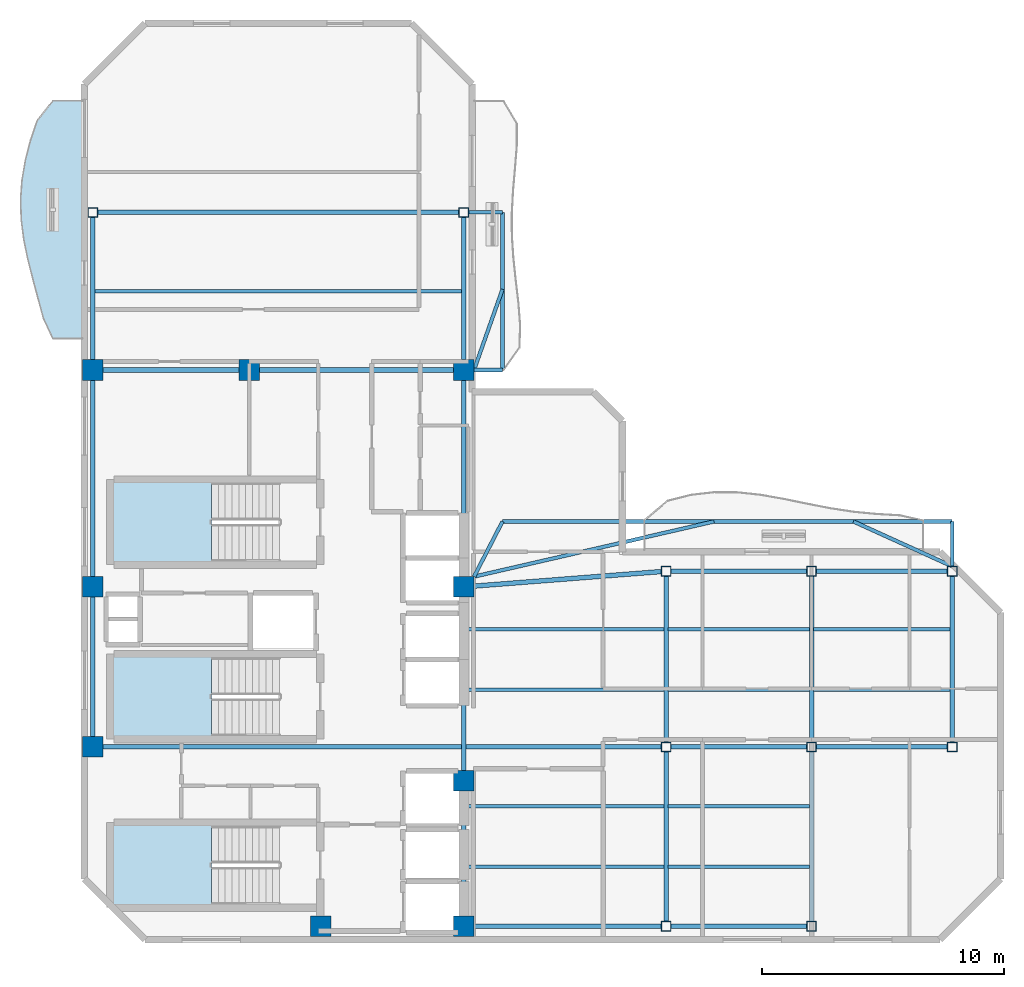
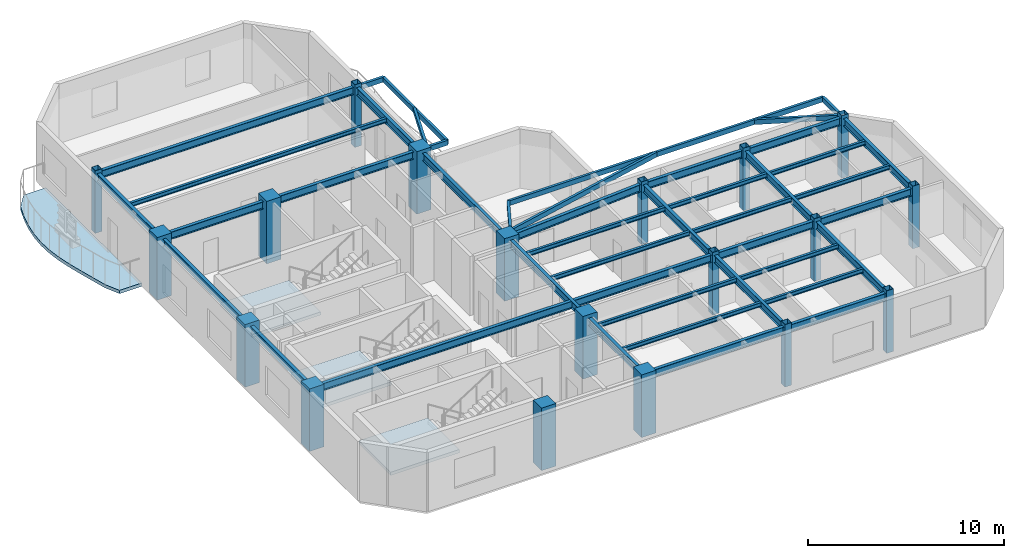
# One storey, part 1 of 7: 43 beams, 19 columns, 4 slabs, 3 elements without a shape of their own.
"""IFC4 building model written with IfcOpenShell, lengths in metres."""

from ifc_helpers import new_model, si_unit, direction, frame, origin, origin_2d, place, context, subcontext, project, spatial, polyline, rectangle, hollow_rectangle, i_section, outline, extrude, material, layer, layer_set, material_profile, profile_set, type_object, element, aggregate, save


model = new_model("IFC4")

# Units and contexts
model_context = context("Model", 3, precision=1e-05, world=origin(), true_north=direction((0.0, 1.0)))
body_context = subcontext(model_context, "Body", "Model", "MODEL_VIEW")
ifc_project = project(units=[si_unit("LENGTHUNIT", "METRE"), si_unit("AREAUNIT", "SQUARE_METRE"), si_unit("VOLUMEUNIT", "CUBIC_METRE"), si_unit("PLANEANGLEUNIT", "RADIAN"), si_unit("MASSUNIT", "GRAM", prefix="KILO")], contexts=[model_context])

# Site, building, storey
site_placement = place(None, origin())
site = spatial("IfcSite", under=ifc_project, at=site_placement, CompositionType="ELEMENT")
building_placement = place(site_placement, origin())
building = spatial("IfcBuilding", under=site, at=building_placement, Name="Mawjaban Terraces University", CompositionType="ELEMENT")
storey_placement = place(building_placement, frame((0.0, 0.0, 275.5)))
storey = spatial("IfcBuildingStorey", under=building, at=storey_placement, Name="L67", CompositionType="ELEMENT", Elevation=275.5)

# Columns
ifc_material_1 = material(Name="Concrete C50/60", Category="concrete")
ifc_material_profile_1 = material_profile(ifc_material_1, rectangle(XDim=0.85009765625, YDim=0.85009765625, at=origin_2d()), Name="RC850X850")
ifc_profile_set_1 = profile_set([ifc_material_profile_1], Name="Concrete C50/60")
column_type_1 = type_object("IfcColumnType", Name="Col_RC850X850", PredefinedType="COLUMN", material=ifc_profile_set_1)
for number, where, z_axis, x_axis, name in (
    (1, (31.75, 0.550048828125, 0.0), (0.0, 0.0, 1.0), (1.0, 0.0, 0.0), "L67 Column CC2"),
    (2, (37.64990234375, 0.550048828125, 0.0), (0.0, 0.0, 1.0), (1.0, 0.0, 0.0), "L67 Column CC3"),
    (3, (22.35009765625, 7.949951171875, 0.0), (0.0, 0.0, 1.0), (1.0, 0.0, 0.0), "L67 Column CC4"),
    (4, (37.64990234375, 6.550048828125, 0.0), (0.0, 0.0, 1.0), (1.0, 0.0, 0.0), "L67 Column CC5"),
    (5, (22.35009765625, 14.550048828125, 0.0), (0.0, 0.0, 1.0), (1.0, 0.0, 0.0), "L67 Column CC6"),
    (6, (37.64990234375, 14.550048828125, 0.0), (0.0, 0.0, 1.0), (1.0, 0.0, 0.0), "L67 Column CC7"),
    (7, (22.35009765625, 23.5, 0.0), (0.0, 0.0, 1.0), (1.0, 0.0, 0.0), "L67 Column CC8"),
    (8, (28.800048828125, 23.5, 0.0), (0.0, 0.0, 1.0), (1.0, 0.0, 0.0), "L67 Column CC9"),
    (9, (37.64990234375, 23.5, 0.0), (0.0, 0.0, 1.0), (1.0, 0.0, 0.0), "L67 Column CC10"),
):
    element("IfcColumn", number, at=place(storey_placement, frame(where, z_axis=z_axis, x_axis=x_axis)), inside=storey, type_object=column_type_1, Name=name, PredefinedType="COLUMN", context=body_context, shape_type="SweptSolid", body=[
        extrude(rectangle(XDim=0.85009765625, YDim=0.85009765625, at=origin_2d()), origin(), (0.0, 0.0, 1.0), 3.89990234375),
    ])
ifc_material_2 = material(Name="Steel EN 10210-1 S355J2H", Category="steel")
ifc_material_profile_2 = material_profile(ifc_material_2, hollow_rectangle(XDim=0.39990234375, YDim=0.39990234375, WallThickness=0.02001953125, at=origin_2d()), Name="SHS400X400X20")
ifc_profile_set_2 = profile_set([ifc_material_profile_2], Name="Steel EN 10210-1 S355J2H")
column_type_2 = type_object("IfcColumnType", Name="Col_SHS400X400X20", PredefinedType="COLUMN", material=ifc_profile_set_2)
for number, where, z_axis, x_axis, name in (
    (10, (46.0, 0.550048828125, 0.0), (0.0, 0.0, 1.0), (1.0, 0.0, 0.0), "L67 Column TE-460-005"),
    (11, (46.0, 7.949951171875, 0.0), (0.0, 0.0, 1.0), (1.0, 0.0, 0.0), "L67 Column TE-460-080"),
    (12, (46.0, 15.199951171875, 0.0), (0.0, 0.0, 1.0), (1.0, 0.0, 0.0), "L67 Column TE-460-152"),
    (13, (52.0, 0.550048828125, 0.0), (0.0, 0.0, 1.0), (1.0, 0.0, 0.0), "L67 Column TE-520-005"),
    (14, (52.0, 7.949951171875, 0.0), (0.0, 0.0, 1.0), (1.0, 0.0, 0.0), "L67 Column TE-520-080"),
    (15, (52.0, 15.199951171875, 0.0), (0.0, 0.0, 1.0), (1.0, 0.0, 0.0), "L67 Column TE-520-152"),
    (16, (57.800048828125, 7.949951171875, 0.0), (0.0, 0.0, 1.0), (1.0, 0.0, 0.0), "L67 Column TE-578-080"),
    (17, (57.800048828125, 15.199951171875, 0.0), (0.0, 0.0, 1.0), (1.0, 0.0, 0.0), "L67 Column TE-578-152"),
    (18, (22.35009765625, 30.0, 0.0), (0.0, 0.0, 1.0), (1.0, 0.0, 0.0), "L67 Column TN-223-300"),
    (19, (37.64990234375, 30.0, 0.0), (0.0, 0.0, 1.0), (1.0, 0.0, 0.0), "L67 Column TN-376-300"),
):
    element("IfcColumn", number, at=place(storey_placement, frame(where, z_axis=z_axis, x_axis=x_axis)), inside=storey, type_object=column_type_2, Name=name, PredefinedType="COLUMN", context=body_context, shape_type="SweptSolid", body=[
        extrude(hollow_rectangle(XDim=0.39990234375, YDim=0.39990234375, WallThickness=0.02001953125, at=origin_2d()), origin(), (0.0, 0.0, 1.0), 3.89990234375),
    ])

# Beams
ifc_material_profile_3 = material_profile(ifc_material_2, hollow_rectangle(XDim=0.14990234375, YDim=0.300048828125, WallThickness=0.012451171875, at=origin_2d()), Name="RHS300X150X12.5")
ifc_profile_set_3 = profile_set([ifc_material_profile_3], Name="Steel EN 10210-1 S355J2H")
beam_type_1 = type_object("IfcBeamType", Name="BalconyCantileverSpandrel_RHS", PredefinedType="SPANDREL", material=ifc_profile_set_3)
beam_1_placement = place(storey_placement, frame((38.074951171875, 14.97509765625, 3.5400390625), z_axis=(0.458922210771, 0.88847645127, 0.0), x_axis=(-0.88847645127, 0.458922210771, 0.0)))
element("IfcBeam", 20, at=beam_1_placement, inside=storey, type_object=beam_type_1, Name="L67 Corner Outrigger BAL-L68-N", PredefinedType="SPANDREL", context=body_context, shape_type="SweptSolid", body=[
    extrude(hollow_rectangle(XDim=0.14990234375, YDim=0.300048828125, WallThickness=0.012451171875, at=origin_2d()), origin(), (0.0, 0.0, 1.0), 2.560546875),
])
beam_2_placement = place(storey_placement, frame((57.800048828125, 15.39990234375, 3.5400390625), z_axis=(0.0, 1.0, 0.0), x_axis=(-1.0, 0.0, 0.0)))
element("IfcBeam", 21, at=beam_2_placement, inside=storey, type_object=beam_type_1, Name="L67 Exterior Outrigger BAL-L68-N.2", PredefinedType="SPANDREL", context=body_context, shape_type="SweptSolid", body=[
    extrude(hollow_rectangle(XDim=0.14990234375, YDim=0.300048828125, WallThickness=0.012451171875, at=origin_2d()), origin(), (0.0, 0.0, 1.0), 1.85009765625),
])
beam_3_placement = place(storey_placement, frame((39.25, 17.25, 3.5400390625), z_axis=(1.0, 0.0, 0.0), x_axis=(0.0, 1.0, 0.0)))
element("IfcBeam", 22, at=beam_3_placement, inside=storey, type_object=beam_type_1, Name="L67 Exterior Edge Spandrel BAL-L68-N", PredefinedType="SPANDREL", context=body_context, shape_type="SweptSolid", body=[
    extrude(hollow_rectangle(XDim=0.14990234375, YDim=0.300048828125, WallThickness=0.012451171875, at=origin_2d()), origin(), (0.0, 0.0, 1.0), 18.550048828125),
])
beam_4_placement = place(storey_placement, frame((38.074951171875, 14.97509765625, 3.5400390625), z_axis=(0.974600999447, 0.223948413426, 0.0), x_axis=(-0.223948413426, 0.974600999447, 0.0)))
element("IfcBeam", 23, at=beam_4_placement, inside=storey, type_object=beam_type_1, Name="L67 Exterior Diagonal Strut BAL-L68-N.1", PredefinedType="SPANDREL", context=body_context, shape_type="SweptSolid", body=[
    extrude(hollow_rectangle(XDim=0.14990234375, YDim=0.300048828125, WallThickness=0.012451171875, at=origin_2d()), origin(), (0.0, 0.0, 1.0), 10.158203125),
])
beam_5_placement = place(storey_placement, frame((57.800048828125, 15.39990234375, 3.5400390625), z_axis=(-0.910547611438, 0.413404217811, 0.0), x_axis=(-0.413404217811, -0.910547611438, 0.0)))
element("IfcBeam", 24, at=beam_5_placement, inside=storey, type_object=beam_type_1, Name="L67 Exterior Diagonal Strut BAL-L68-N.2", PredefinedType="SPANDREL", context=body_context, shape_type="SweptSolid", body=[
    extrude(hollow_rectangle(XDim=0.14990234375, YDim=0.300048828125, WallThickness=0.012451171875, at=origin_2d()), origin(), (0.0, 0.0, 1.0), 4.475341796875),
])
beam_6_placement = place(storey_placement, frame((38.074951171875, 23.5, 3.5400390625), z_axis=(1.0, 0.0, 0.0), x_axis=(0.0, 1.0, 0.0)))
element("IfcBeam", 25, at=beam_6_placement, inside=storey, type_object=beam_type_1, Name="L67 Exterior Outrigger BAL-L68-E.1", PredefinedType="SPANDREL", context=body_context, shape_type="SweptSolid", body=[
    extrude(hollow_rectangle(XDim=0.14990234375, YDim=0.300048828125, WallThickness=0.012451171875, at=origin_2d()), origin(), (0.0, 0.0, 1.0), 1.175048828125),
])
beam_7_placement = place(storey_placement, frame((37.85009765625, 30.0, 3.5400390625), z_axis=(1.0, 0.0, 0.0), x_axis=(0.0, 1.0, 0.0)))
element("IfcBeam", 26, at=beam_7_placement, inside=storey, type_object=beam_type_1, Name="L67 Exterior Outrigger BAL-L68-E.2", PredefinedType="SPANDREL", context=body_context, shape_type="SweptSolid", body=[
    extrude(hollow_rectangle(XDim=0.14990234375, YDim=0.300048828125, WallThickness=0.012451171875, at=origin_2d()), origin(), (0.0, 0.0, 1.0), 1.39990234375),
])
beam_8_placement = place(storey_placement, frame((39.25, 23.5, 3.5400390625), z_axis=(0.0, 1.0, 0.0), x_axis=(-1.0, 0.0, 0.0)))
element("IfcBeam", 27, at=beam_8_placement, inside=storey, type_object=beam_type_1, Name="L67 Exterior Edge Spandrel BAL-L68-E", PredefinedType="SPANDREL", context=body_context, shape_type="SweptSolid", body=[
    extrude(hollow_rectangle(XDim=0.14990234375, YDim=0.300048828125, WallThickness=0.012451171875, at=origin_2d()), origin(), (0.0, 0.0, 1.0), 6.5),
])
beam_9_placement = place(storey_placement, frame((38.074951171875, 23.5, 3.5400390625), z_axis=(0.332751406337, 0.943014581849, 0.0), x_axis=(-0.943014581849, 0.332751406337, 0.0)))
element("IfcBeam", 28, at=beam_9_placement, inside=storey, type_object=beam_type_1, Name="L67 Exterior Diagonal Strut BAL-L68-E.1", PredefinedType="SPANDREL", context=body_context, shape_type="SweptSolid", body=[
    extrude(hollow_rectangle(XDim=0.14990234375, YDim=0.300048828125, WallThickness=0.012451171875, at=origin_2d()), origin(), (0.0, 0.0, 1.0), 3.53125),
])
ifc_material_3 = material(Name="Steel ASTM A572 Grade 50", Category="steel")
ifc_material_profile_4 = material_profile(ifc_material_3, i_section(OverallWidth=0.19189453125, OverallDepth=0.462890625, WebThickness=0.010498046875, FlangeThickness=0.017578125, at=origin_2d()), Name="W460X89")
ifc_profile_set_4 = profile_set([ifc_material_profile_4], Name="Steel ASTM A572 Grade 50")
beam_type_2 = type_object("IfcBeamType", Name="Beam_B_W460X89", PredefinedType="BEAM", material=ifc_profile_set_4)
beam_10_placement = place(storey_placement, frame((38.074951171875, 0.550048828125, 3.458984375), z_axis=(1.0, 0.0, 0.0), x_axis=(0.0, 1.0, 0.0)))
element("IfcBeam", 29, at=beam_10_placement, inside=storey, type_object=beam_type_2, Name="L67 Beam BM-L67-EW-01", PredefinedType="BEAM", context=body_context, shape_type="SweptSolid", body=[
    extrude(i_section(OverallWidth=0.19189453125, OverallDepth=0.462890625, WebThickness=0.010498046875, FlangeThickness=0.017578125, at=origin_2d()), origin(), (0.0, 0.0, 1.0), 7.72509765625),
])
beam_11_placement = place(storey_placement, frame((46.199951171875, 0.550048828125, 3.458984375), z_axis=(1.0, 0.0, 0.0), x_axis=(0.0, 1.0, 0.0)))
element("IfcBeam", 30, at=beam_11_placement, inside=storey, type_object=beam_type_2, Name="L67 Beam BM-L67-EW-02", PredefinedType="BEAM", context=body_context, shape_type="SweptSolid", body=[
    extrude(i_section(OverallWidth=0.19189453125, OverallDepth=0.462890625, WebThickness=0.010498046875, FlangeThickness=0.017578125, at=origin_2d()), origin(), (0.0, 0.0, 1.0), 5.60009765625),
])
beam_12_placement = place(storey_placement, frame((22.77490234375, 7.949951171875, 3.458984375), z_axis=(1.0, 0.0, 0.0), x_axis=(0.0, 1.0, 0.0)))
element("IfcBeam", 31, at=beam_12_placement, inside=storey, type_object=beam_type_2, Name="L67 Beam BM-L67-EW-03", PredefinedType="BEAM", context=body_context, shape_type="SweptSolid", body=[
    extrude(i_section(OverallWidth=0.19189453125, OverallDepth=0.462890625, WebThickness=0.010498046875, FlangeThickness=0.017578125, at=origin_2d()), origin(), (0.0, 0.0, 1.0), 23.025146484375),
])
beam_13_placement = place(storey_placement, frame((46.199951171875, 7.949951171875, 3.458984375), z_axis=(1.0, 0.0, 0.0), x_axis=(0.0, 1.0, 0.0)))
element("IfcBeam", 32, at=beam_13_placement, inside=storey, type_object=beam_type_2, Name="L67 Beam BM-L67-EW-04", PredefinedType="BEAM", context=body_context, shape_type="SweptSolid", body=[
    extrude(i_section(OverallWidth=0.19189453125, OverallDepth=0.462890625, WebThickness=0.010498046875, FlangeThickness=0.017578125, at=origin_2d()), origin(), (0.0, 0.0, 1.0), 5.60009765625),
])
beam_14_placement = place(storey_placement, frame((52.199951171875, 7.949951171875, 3.458984375), z_axis=(1.0, 0.0, 0.0), x_axis=(0.0, 1.0, 0.0)))
element("IfcBeam", 33, at=beam_14_placement, inside=storey, type_object=beam_type_2, Name="L67 Beam BM-L67-EW-05", PredefinedType="BEAM", context=body_context, shape_type="SweptSolid", body=[
    extrude(i_section(OverallWidth=0.19189453125, OverallDepth=0.462890625, WebThickness=0.010498046875, FlangeThickness=0.017578125, at=origin_2d()), origin(), (0.0, 0.0, 1.0), 5.400146484375),
])
beam_15_placement = place(storey_placement, frame((46.199951171875, 15.199951171875, 3.458984375), z_axis=(1.0, 0.0, 0.0), x_axis=(0.0, 1.0, 0.0)))
element("IfcBeam", 34, at=beam_15_placement, inside=storey, type_object=beam_type_2, Name="L67 Beam BM-L67-EW-06", PredefinedType="BEAM", context=body_context, shape_type="SweptSolid", body=[
    extrude(i_section(OverallWidth=0.19189453125, OverallDepth=0.462890625, WebThickness=0.010498046875, FlangeThickness=0.017578125, at=origin_2d()), origin(), (0.0, 0.0, 1.0), 5.60009765625),
])
beam_16_placement = place(storey_placement, frame((52.199951171875, 15.199951171875, 3.458984375), z_axis=(1.0, 0.0, 0.0), x_axis=(0.0, 1.0, 0.0)))
element("IfcBeam", 35, at=beam_16_placement, inside=storey, type_object=beam_type_2, Name="L67 Beam BM-L67-EW-07", PredefinedType="BEAM", context=body_context, shape_type="SweptSolid", body=[
    extrude(i_section(OverallWidth=0.19189453125, OverallDepth=0.462890625, WebThickness=0.010498046875, FlangeThickness=0.017578125, at=origin_2d()), origin(), (0.0, 0.0, 1.0), 5.400146484375),
])
beam_17_placement = place(storey_placement, frame((22.77490234375, 23.5, 3.458984375), z_axis=(1.0, 0.0, 0.0), x_axis=(0.0, 1.0, 0.0)))
element("IfcBeam", 36, at=beam_17_placement, inside=storey, type_object=beam_type_2, Name="L67 Beam BM-L67-EW-08", PredefinedType="BEAM", context=body_context, shape_type="SweptSolid", body=[
    extrude(i_section(OverallWidth=0.19189453125, OverallDepth=0.462890625, WebThickness=0.010498046875, FlangeThickness=0.017578125, at=origin_2d()), origin(), (0.0, 0.0, 1.0), 5.60009765625),
])
beam_18_placement = place(storey_placement, frame((29.22509765625, 23.5, 3.458984375), z_axis=(1.0, 0.0, 0.0), x_axis=(0.0, 1.0, 0.0)))
element("IfcBeam", 37, at=beam_18_placement, inside=storey, type_object=beam_type_2, Name="L67 Beam BM-L67-EW-09", PredefinedType="BEAM", context=body_context, shape_type="SweptSolid", body=[
    extrude(i_section(OverallWidth=0.19189453125, OverallDepth=0.462890625, WebThickness=0.010498046875, FlangeThickness=0.017578125, at=origin_2d()), origin(), (0.0, 0.0, 1.0), 8.0),
])
beam_19_placement = place(storey_placement, frame((22.550048828125, 30.0, 3.458984375), z_axis=(1.0, 0.0, 0.0), x_axis=(0.0, 1.0, 0.0)))
element("IfcBeam", 38, at=beam_19_placement, inside=storey, type_object=beam_type_2, Name="L67 Beam BM-L67-EW-10", PredefinedType="BEAM", context=body_context, shape_type="SweptSolid", body=[
    extrude(i_section(OverallWidth=0.19189453125, OverallDepth=0.462890625, WebThickness=0.010498046875, FlangeThickness=0.017578125, at=origin_2d()), origin(), (0.0, 0.0, 1.0), 14.89990234375),
])
beam_20_placement = place(storey_placement, frame((22.35009765625, 8.375, 3.458984375), z_axis=(0.0, 1.0, 0.0), x_axis=(-1.0, 0.0, 0.0)))
element("IfcBeam", 39, at=beam_20_placement, inside=storey, type_object=beam_type_2, Name="L67 Beam BM-L67-NS-01", PredefinedType="BEAM", context=body_context, shape_type="SweptSolid", body=[
    extrude(i_section(OverallWidth=0.19189453125, OverallDepth=0.462890625, WebThickness=0.010498046875, FlangeThickness=0.017578125, at=origin_2d()), origin(), (0.0, 0.0, 1.0), 5.75),
])
beam_21_placement = place(storey_placement, frame((22.35009765625, 14.97509765625, 3.458984375), z_axis=(0.0, 1.0, 0.0), x_axis=(-1.0, 0.0, 0.0)))
element("IfcBeam", 40, at=beam_21_placement, inside=storey, type_object=beam_type_2, Name="L67 Beam BM-L67-NS-02", PredefinedType="BEAM", context=body_context, shape_type="SweptSolid", body=[
    extrude(i_section(OverallWidth=0.19189453125, OverallDepth=0.462890625, WebThickness=0.010498046875, FlangeThickness=0.017578125, at=origin_2d()), origin(), (0.0, 0.0, 1.0), 8.099853515625),
])
beam_22_placement = place(storey_placement, frame((22.35009765625, 23.925048828125, 3.458984375), z_axis=(0.0, 1.0, 0.0), x_axis=(-1.0, 0.0, 0.0)))
element("IfcBeam", 41, at=beam_22_placement, inside=storey, type_object=beam_type_2, Name="L67 Beam BM-L67-NS-03", PredefinedType="BEAM", context=body_context, shape_type="SweptSolid", body=[
    extrude(i_section(OverallWidth=0.19189453125, OverallDepth=0.462890625, WebThickness=0.010498046875, FlangeThickness=0.017578125, at=origin_2d()), origin(), (0.0, 0.0, 1.0), 5.875),
])
beam_23_placement = place(storey_placement, frame((37.64990234375, 0.97509765625, 3.458984375), z_axis=(0.0, 1.0, 0.0), x_axis=(-1.0, 0.0, 0.0)))
element("IfcBeam", 42, at=beam_23_placement, inside=storey, type_object=beam_type_2, Name="L67 Beam BM-L67-NS-04", PredefinedType="BEAM", context=body_context, shape_type="SweptSolid", body=[
    extrude(i_section(OverallWidth=0.19189453125, OverallDepth=0.462890625, WebThickness=0.010498046875, FlangeThickness=0.017578125, at=origin_2d()), origin(), (0.0, 0.0, 1.0), 5.14990234375),
])
beam_24_placement = place(storey_placement, frame((37.64990234375, 6.97509765625, 3.458984375), z_axis=(0.0, 1.0, 0.0), x_axis=(-1.0, 0.0, 0.0)))
element("IfcBeam", 43, at=beam_24_placement, inside=storey, type_object=beam_type_2, Name="L67 Beam BM-L67-NS-05", PredefinedType="BEAM", context=body_context, shape_type="SweptSolid", body=[
    extrude(i_section(OverallWidth=0.19189453125, OverallDepth=0.462890625, WebThickness=0.010498046875, FlangeThickness=0.017578125, at=origin_2d()), origin(), (0.0, 0.0, 1.0), 7.14990234375),
])
beam_25_placement = place(storey_placement, frame((37.64990234375, 14.97509765625, 3.458984375), z_axis=(0.0, 1.0, 0.0), x_axis=(-1.0, 0.0, 0.0)))
element("IfcBeam", 44, at=beam_25_placement, inside=storey, type_object=beam_type_2, Name="L67 Beam BM-L67-NS-06", PredefinedType="BEAM", context=body_context, shape_type="SweptSolid", body=[
    extrude(i_section(OverallWidth=0.19189453125, OverallDepth=0.462890625, WebThickness=0.010498046875, FlangeThickness=0.017578125, at=origin_2d()), origin(), (0.0, 0.0, 1.0), 8.099853515625),
])
beam_26_placement = place(storey_placement, frame((37.64990234375, 23.925048828125, 3.458984375), z_axis=(0.0, 1.0, 0.0), x_axis=(-1.0, 0.0, 0.0)))
element("IfcBeam", 45, at=beam_26_placement, inside=storey, type_object=beam_type_2, Name="L67 Beam BM-L67-NS-07", PredefinedType="BEAM", context=body_context, shape_type="SweptSolid", body=[
    extrude(i_section(OverallWidth=0.19189453125, OverallDepth=0.462890625, WebThickness=0.010498046875, FlangeThickness=0.017578125, at=origin_2d()), origin(), (0.0, 0.0, 1.0), 5.875),
])
beam_27_placement = place(storey_placement, frame((46.0, 0.75, 3.458984375), z_axis=(0.0, 1.0, 0.0), x_axis=(-1.0, 0.0, 0.0)))
element("IfcBeam", 46, at=beam_27_placement, inside=storey, type_object=beam_type_2, Name="L67 Beam BM-L67-NS-08", PredefinedType="BEAM", context=body_context, shape_type="SweptSolid", body=[
    extrude(i_section(OverallWidth=0.19189453125, OverallDepth=0.462890625, WebThickness=0.010498046875, FlangeThickness=0.017578125, at=origin_2d()), origin(), (0.0, 0.0, 1.0), 7.0),
])
beam_28_placement = place(storey_placement, frame((46.0, 8.14990234375, 3.458984375), z_axis=(0.0, 1.0, 0.0), x_axis=(-1.0, 0.0, 0.0)))
element("IfcBeam", 47, at=beam_28_placement, inside=storey, type_object=beam_type_2, Name="L67 Beam BM-L67-NS-09", PredefinedType="BEAM", context=body_context, shape_type="SweptSolid", body=[
    extrude(i_section(OverallWidth=0.19189453125, OverallDepth=0.462890625, WebThickness=0.010498046875, FlangeThickness=0.017578125, at=origin_2d()), origin(), (0.0, 0.0, 1.0), 6.85009765625),
])
beam_29_placement = place(storey_placement, frame((52.0, 0.75, 3.458984375), z_axis=(0.0, 1.0, 0.0), x_axis=(-1.0, 0.0, 0.0)))
element("IfcBeam", 48, at=beam_29_placement, inside=storey, type_object=beam_type_2, Name="L67 Beam BM-L67-NS-10", PredefinedType="BEAM", context=body_context, shape_type="SweptSolid", body=[
    extrude(i_section(OverallWidth=0.19189453125, OverallDepth=0.462890625, WebThickness=0.010498046875, FlangeThickness=0.017578125, at=origin_2d()), origin(), (0.0, 0.0, 1.0), 7.0),
])
for number, where, z_axis, x_axis, name in (
    (49, (52.0, 8.14990234375, 3.458984375), (0.0, 1.0, 0.0), (-1.0, 0.0, 0.0), "L67 Beam BM-L67-NS-11"),
    (50, (57.800048828125, 8.14990234375, 3.458984375), (0.0, 1.0, 0.0), (-1.0, 0.0, 0.0), "L67 Beam BM-L67-NS-12"),
):
    element("IfcBeam", number, at=place(storey_placement, frame(where, z_axis=z_axis, x_axis=x_axis)), inside=storey, type_object=beam_type_2, Name=name, PredefinedType="BEAM", context=body_context, shape_type="SweptSolid", body=[
        extrude(i_section(OverallWidth=0.19189453125, OverallDepth=0.462890625, WebThickness=0.010498046875, FlangeThickness=0.017578125, at=origin_2d()), origin(), (0.0, 0.0, 1.0), 6.85009765625),
    ])
beam_30_placement = place(storey_placement, frame((38.073974609375, 14.5830078125, 3.458984375), z_axis=(0.996988151141, 0.077554023005, 0.0), x_axis=(-0.077554023005, 0.996988151141, 0.0)))
element("IfcBeam", 51, at=beam_30_placement, inside=storey, type_object=beam_type_2, Name="L67 Beam BM-L67-CTIE", PredefinedType="BEAM", context=body_context, shape_type="SweptSolid", body=[
    extrude(i_section(OverallWidth=0.19189453125, OverallDepth=0.462890625, WebThickness=0.010498046875, FlangeThickness=0.017578125, at=origin_2d()), origin(), (0.0, 0.0, 1.0), 7.75048828125),
])
ifc_material_profile_5 = material_profile(ifc_material_3, i_section(OverallWidth=0.14794921875, OverallDepth=0.26611328125, WebThickness=0.007568359375, FlangeThickness=0.012939453125, at=origin_2d()), Name="W250X45")
ifc_profile_set_5 = profile_set([ifc_material_profile_5], Name="Steel ASTM A572 Grade 50")
beam_type_3 = type_object("IfcBeamType", Name="Beam_J_W250X45", PredefinedType="JOIST", material=ifc_profile_set_5)
beam_31_placement = place(storey_placement, frame((37.72998046875, 3.0, 3.556884765625), z_axis=(1.0, 0.0, 0.0), x_axis=(0.0, 1.0, 0.0)))
element("IfcBeam", 52, at=beam_31_placement, inside=storey, type_object=beam_type_3, Name="L67 Composite Joist JST-L67-01", PredefinedType="JOIST", context=body_context, shape_type="SweptSolid", body=[
    extrude(i_section(OverallWidth=0.14794921875, OverallDepth=0.26611328125, WebThickness=0.007568359375, FlangeThickness=0.012939453125, at=origin_2d()), origin(), (0.0, 0.0, 1.0), 8.18994140625),
])
beam_32_placement = place(storey_placement, frame((46.080078125, 3.0, 3.556884765625), z_axis=(1.0, 0.0, 0.0), x_axis=(0.0, 1.0, 0.0)))
element("IfcBeam", 53, at=beam_32_placement, inside=storey, type_object=beam_type_3, Name="L67 Composite Joist JST-L67-02", PredefinedType="JOIST", context=body_context, shape_type="SweptSolid", body=[
    extrude(i_section(OverallWidth=0.14794921875, OverallDepth=0.26611328125, WebThickness=0.007568359375, FlangeThickness=0.012939453125, at=origin_2d()), origin(), (0.0, 0.0, 1.0), 5.83984375),
])
beam_33_placement = place(storey_placement, frame((37.72998046875, 5.5, 3.556884765625), z_axis=(1.0, 0.0, 0.0), x_axis=(0.0, 1.0, 0.0)))
element("IfcBeam", 54, at=beam_33_placement, inside=storey, type_object=beam_type_3, Name="L67 Composite Joist JST-L67-03", PredefinedType="JOIST", context=body_context, shape_type="SweptSolid", body=[
    extrude(i_section(OverallWidth=0.14794921875, OverallDepth=0.26611328125, WebThickness=0.007568359375, FlangeThickness=0.012939453125, at=origin_2d()), origin(), (0.0, 0.0, 1.0), 8.18994140625),
])
beam_34_placement = place(storey_placement, frame((46.080078125, 5.5, 3.556884765625), z_axis=(1.0, 0.0, 0.0), x_axis=(0.0, 1.0, 0.0)))
element("IfcBeam", 55, at=beam_34_placement, inside=storey, type_object=beam_type_3, Name="L67 Composite Joist JST-L67-04", PredefinedType="JOIST", context=body_context, shape_type="SweptSolid", body=[
    extrude(i_section(OverallWidth=0.14794921875, OverallDepth=0.26611328125, WebThickness=0.007568359375, FlangeThickness=0.012939453125, at=origin_2d()), origin(), (0.0, 0.0, 1.0), 5.83984375),
])
beam_35_placement = place(storey_placement, frame((37.72998046875, 10.300048828125, 3.556884765625), z_axis=(1.0, 0.0, 0.0), x_axis=(0.0, 1.0, 0.0)))
element("IfcBeam", 56, at=beam_35_placement, inside=storey, type_object=beam_type_3, Name="L67 Composite Joist JST-L67-05", PredefinedType="JOIST", context=body_context, shape_type="SweptSolid", body=[
    extrude(i_section(OverallWidth=0.14794921875, OverallDepth=0.26611328125, WebThickness=0.007568359375, FlangeThickness=0.012939453125, at=origin_2d()), origin(), (0.0, 0.0, 1.0), 8.18994140625),
])
beam_36_placement = place(storey_placement, frame((46.080078125, 10.300048828125, 3.556884765625), z_axis=(1.0, 0.0, 0.0), x_axis=(0.0, 1.0, 0.0)))
element("IfcBeam", 57, at=beam_36_placement, inside=storey, type_object=beam_type_3, Name="L67 Composite Joist JST-L67-06", PredefinedType="JOIST", context=body_context, shape_type="SweptSolid", body=[
    extrude(i_section(OverallWidth=0.14794921875, OverallDepth=0.26611328125, WebThickness=0.007568359375, FlangeThickness=0.012939453125, at=origin_2d()), origin(), (0.0, 0.0, 1.0), 5.83984375),
])
beam_37_placement = place(storey_placement, frame((52.080078125, 10.300048828125, 3.556884765625), z_axis=(1.0, 0.0, 0.0), x_axis=(0.0, 1.0, 0.0)))
element("IfcBeam", 58, at=beam_37_placement, inside=storey, type_object=beam_type_3, Name="L67 Composite Joist JST-L67-07", PredefinedType="JOIST", context=body_context, shape_type="SweptSolid", body=[
    extrude(i_section(OverallWidth=0.14794921875, OverallDepth=0.26611328125, WebThickness=0.007568359375, FlangeThickness=0.012939453125, at=origin_2d()), origin(), (0.0, 0.0, 1.0), 5.639892578125),
])
beam_38_placement = place(storey_placement, frame((37.72998046875, 12.800048828125, 3.556884765625), z_axis=(1.0, 0.0, 0.0), x_axis=(0.0, 1.0, 0.0)))
element("IfcBeam", 59, at=beam_38_placement, inside=storey, type_object=beam_type_3, Name="L67 Composite Joist JST-L67-08", PredefinedType="JOIST", context=body_context, shape_type="SweptSolid", body=[
    extrude(i_section(OverallWidth=0.14794921875, OverallDepth=0.26611328125, WebThickness=0.007568359375, FlangeThickness=0.012939453125, at=origin_2d()), origin(), (0.0, 0.0, 1.0), 8.18994140625),
])
beam_39_placement = place(storey_placement, frame((46.080078125, 12.800048828125, 3.556884765625), z_axis=(1.0, 0.0, 0.0), x_axis=(0.0, 1.0, 0.0)))
element("IfcBeam", 60, at=beam_39_placement, inside=storey, type_object=beam_type_3, Name="L67 Composite Joist JST-L67-09", PredefinedType="JOIST", context=body_context, shape_type="SweptSolid", body=[
    extrude(i_section(OverallWidth=0.14794921875, OverallDepth=0.26611328125, WebThickness=0.007568359375, FlangeThickness=0.012939453125, at=origin_2d()), origin(), (0.0, 0.0, 1.0), 5.83984375),
])
beam_40_placement = place(storey_placement, frame((52.080078125, 12.800048828125, 3.556884765625), z_axis=(1.0, 0.0, 0.0), x_axis=(0.0, 1.0, 0.0)))
element("IfcBeam", 61, at=beam_40_placement, inside=storey, type_object=beam_type_3, Name="L67 Composite Joist JST-L67-10", PredefinedType="JOIST", context=body_context, shape_type="SweptSolid", body=[
    extrude(i_section(OverallWidth=0.14794921875, OverallDepth=0.26611328125, WebThickness=0.007568359375, FlangeThickness=0.012939453125, at=origin_2d()), origin(), (0.0, 0.0, 1.0), 5.639892578125),
])
beam_41_placement = place(storey_placement, frame((22.429931640625, 26.75, 3.556884765625), z_axis=(1.0, 0.0, 0.0), x_axis=(0.0, 1.0, 0.0)))
element("IfcBeam", 62, at=beam_41_placement, inside=storey, type_object=beam_type_3, Name="L67 Composite Joist JST-L67-11", PredefinedType="JOIST", context=body_context, shape_type="SweptSolid", body=[
    extrude(i_section(OverallWidth=0.14794921875, OverallDepth=0.26611328125, WebThickness=0.007568359375, FlangeThickness=0.012939453125, at=origin_2d()), origin(), (0.0, 0.0, 1.0), 15.14013671875),
])

# Slab
ifc_material_4 = material(Name="Concrete C40/50", Category="concrete")
ifc_layer_1 = layer(ifc_material_4, 0.2099609375)
ifc_layer_set_1 = layer_set([ifc_layer_1], Name="Concrete C40/50")
slab_type_1 = type_object("IfcSlabType", Name="BalconySlab_210_Ext", PredefinedType="FLOOR", material=ifc_layer_set_1)
slab_1_placement = place(storey_placement, frame((0.0, 0.0, -0.2099609375)))
element("IfcSlab", 63, at=slab_1_placement, inside=storey, type_object=slab_type_1, Name="L67 Planted Balcony Slab west", PredefinedType="FLOOR", context=body_context, shape_type="SweptSolid", body=[
    extrude(outline(polyline([(22.010009765625, 24.800048828125), (22.010009765625, 34.60009765625), (20.699951171875, 34.60009765625), (20.052001953125, 33.782958984375), (19.77587890625, 32.967041015625), (19.56591796875, 32.14990234375), (19.427001953125, 31.3330078125), (19.368896484375, 30.51708984375), (19.39697265625, 29.699951171875), (19.5009765625, 28.883056640625), (19.66796875, 28.06689453125), (19.8740234375, 27.25), (20.094970703125, 26.43310546875), (20.31591796875, 25.616943359375), (20.699951171875, 24.800048828125), (22.010009765625, 24.800048828125)])), origin(), (0.0, 0.0, 1.0), 0.2099609375),
])

# Stair, slab
stair_type = type_object("IfcStairType", Name="Stair_Core1550_H39", PredefinedType="HALF_TURN_STAIR", material=ifc_material_4)
stair_1_placement = place(storey_placement, origin())
stair_1 = element("IfcStair", 64, at=stair_1_placement, inside=storey, type_object=stair_type, Name="L67 Core Exit Stair 1", PredefinedType="HALF_TURN_STAIR")
ifc_layer_2 = layer(ifc_material_4, 0.199951171875)
ifc_layer_set_2 = layer_set([ifc_layer_2], Name="Concrete C40/50")
slab_type_2 = type_object("IfcSlabType", Name="StairLandingSlab_200", PredefinedType="LANDING", material=ifc_layer_set_2)
slab_2_placement = place(storey_placement, frame((0.0, 0.0, 1.75)))
slab_2 = element("IfcSlab", 65, at=slab_2_placement, type_object=slab_type_2, Name="ST-1 landing 1", PredefinedType="LANDING", context=body_context, shape_type="SweptSolid", body=[
    extrude(outline(polyline([(27.25, 4.699951171875), (23.199951171875, 4.699951171875), (23.199951171875, 1.449951171875), (27.25, 1.449951171875), (27.25, 4.699951171875)])), origin(), (0.0, 0.0, 1.0), 0.199951171875),
])
aggregate(stair_1, [slab_2])

stair_2_placement = place(storey_placement, origin())
stair_2 = element("IfcStair", 66, at=stair_2_placement, inside=storey, type_object=stair_type, Name="L67 Core Exit Stair 2", PredefinedType="HALF_TURN_STAIR")
slab_3_placement = place(storey_placement, frame((0.0, 0.0, 1.75)))
slab_3 = element("IfcSlab", 67, at=slab_3_placement, type_object=slab_type_2, Name="ST-2 landing 1", PredefinedType="LANDING", context=body_context, shape_type="SweptSolid", body=[
    extrude(outline(polyline([(27.25, 18.85009765625), (23.199951171875, 18.85009765625), (23.199951171875, 15.60009765625), (27.25, 15.60009765625), (27.25, 18.85009765625)])), origin(), (0.0, 0.0, 1.0), 0.199951171875),
])
aggregate(stair_2, [slab_3])

stair_3_placement = place(storey_placement, origin())
stair_3 = element("IfcStair", 68, at=stair_3_placement, inside=storey, type_object=stair_type, Name="L67 Core Exit Stair 3", PredefinedType="HALF_TURN_STAIR")
slab_4_placement = place(storey_placement, frame((0.0, 0.0, 1.75)))
slab_4 = element("IfcSlab", 69, at=slab_4_placement, type_object=slab_type_2, Name="ST-3 landing 1", PredefinedType="LANDING", context=body_context, shape_type="SweptSolid", body=[
    extrude(outline(polyline([(27.25, 11.64990234375), (23.199951171875, 11.64990234375), (23.199951171875, 8.39990234375), (27.25, 8.39990234375), (27.25, 11.64990234375)])), origin(), (0.0, 0.0, 1.0), 0.199951171875),
])
aggregate(stair_3, [slab_4])

save(model, "model.ifc")
